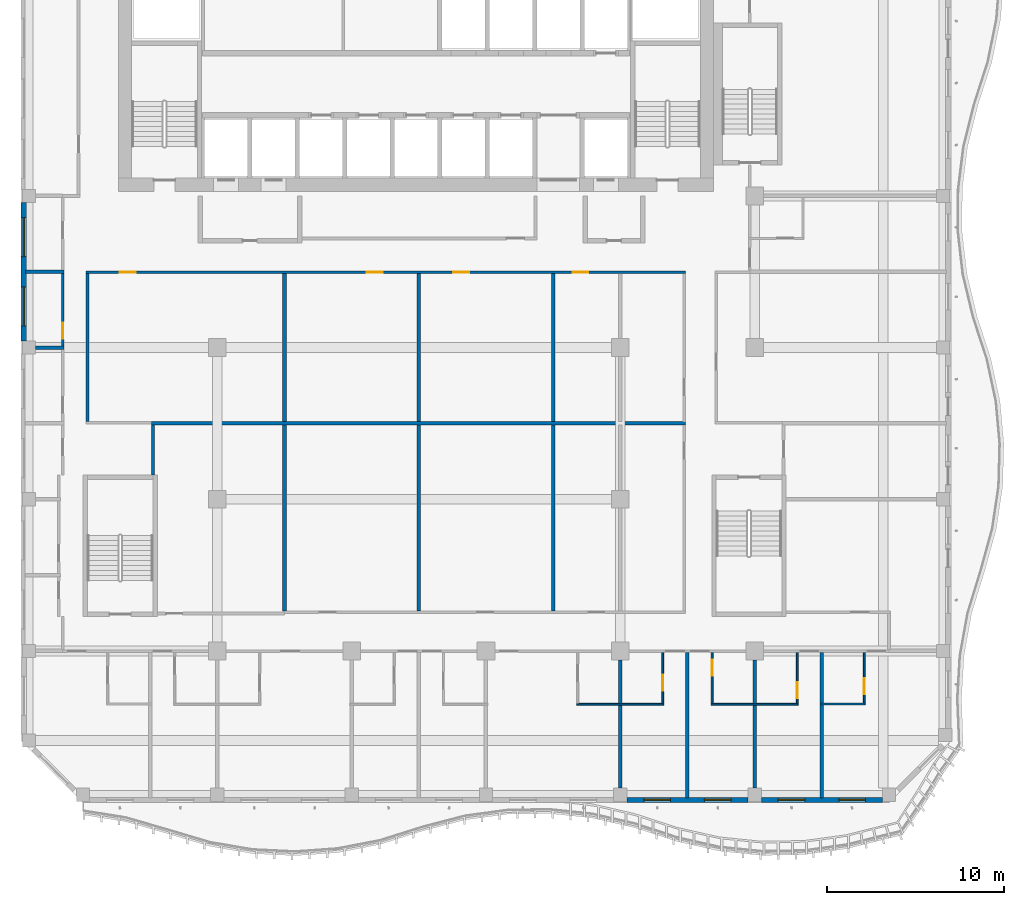
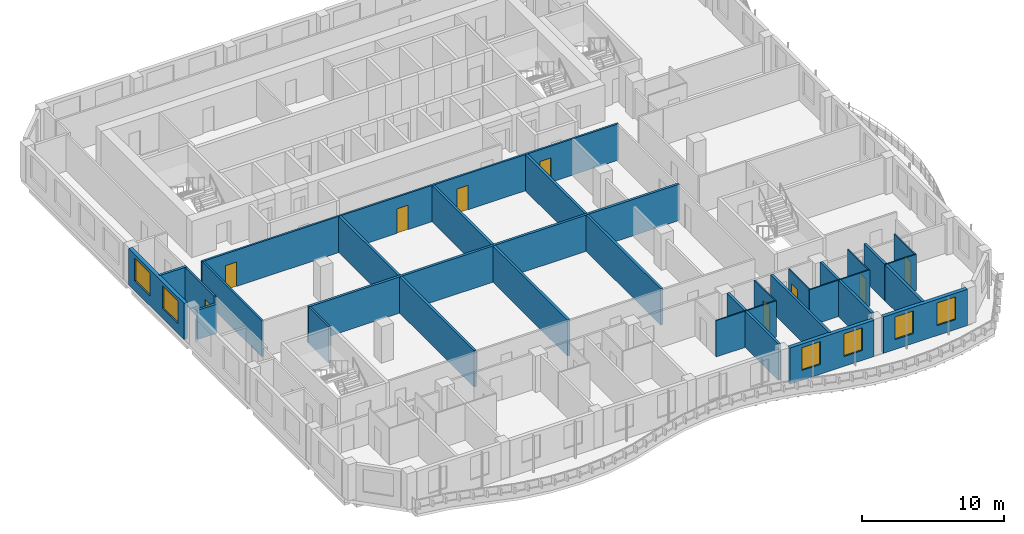
# One storey, part 4 of 21: 30 walls, 9 doors, 6 windows, 15 openings.
"""IFC4 building model written with IfcOpenShell, lengths in metres."""

from ifc_helpers import new_model, si_unit, direction, frame, frame_2d, origin, place, context, subcontext, project, spatial, rectangle, extrude, source, transform, mapped, material, layer, layer_set, type_object, element, fill, save


model = new_model("IFC4")

# Units and contexts
model_context = context("Model", 3, precision=1e-05, world=origin(), true_north=direction((0.0, 1.0)))
body_context = subcontext(model_context, "Body", "Model", "MODEL_VIEW")
ifc_project = project(units=[si_unit("LENGTHUNIT", "METRE"), si_unit("AREAUNIT", "SQUARE_METRE"), si_unit("VOLUMEUNIT", "CUBIC_METRE"), si_unit("PLANEANGLEUNIT", "RADIAN"), si_unit("MASSUNIT", "GRAM", prefix="KILO")], contexts=[model_context])

# Site, building, storey
site_placement = place(None, origin())
site = spatial("IfcSite", under=ifc_project, at=site_placement, CompositionType="ELEMENT")
building_placement = place(site_placement, origin())
building = spatial("IfcBuilding", under=site, at=building_placement, Name="Kilnfold Tower and Market Hall", CompositionType="ELEMENT")
storey_placement = place(building_placement, frame((0.0, 0.0, 210.10009765625)))
storey = spatial("IfcBuildingStorey", under=building, at=storey_placement, Name="L51", CompositionType="ELEMENT", Elevation=210.10009765625)

# Wall, opening, door
ifc_material_1 = material(Name="Gypsum board on steel studs", Category="steel")
ifc_layer_1 = layer(ifc_material_1, 0.14990234375)
ifc_layer_set_1 = layer_set([ifc_layer_1], Name="Gypsum board on steel studs")
wall_type_1 = type_object("IfcWallType", Name="WALL CORRIDOR 150", PredefinedType="PARTITIONING", material=ifc_layer_set_1)
wall_1_placement = place(storey_placement, frame((-18.89990234375, -0.471923828125, 0.0), z_axis=(0.0, 0.0, 1.0), x_axis=(0.0, 1.0, 0.0)))
wall_1 = element("IfcWall", 1, at=wall_1_placement, inside=storey, type_object=wall_type_1, Name="Partition LY31.15", PredefinedType="PARTITIONING", context=body_context, shape_type="SweptSolid", body=[
    extrude(rectangle(XDim=4.100830078125, YDim=0.14990234375, at=frame_2d((2.05029296875, 0.0))), origin(), (0.0, 0.0, 1.0), 3.119873046875),
])
opening_1_placement = place(wall_1_placement, frame((0.39990234375, 0.0, 0.0)))
opening_1 = element("IfcOpeningElement", 2, at=opening_1_placement, cuts=wall_1, Name="Opening D2", PredefinedType="OPENING", context=body_context, shape_type="SweptSolid", body=[
    extrude(rectangle(XDim=0.89990234375, YDim=2.10009765625, at=frame_2d((0.449951171875, 1.050048828125))), frame((0.0, 0.0849609375, 0.0), z_axis=(0.0, -1.0, 0.0), x_axis=(1.0, 0.0, 0.0)), (0.0, 0.0, 1.0), 0.169921875),
])
ifc_material_2 = material(Name="Timber veneer door leaf in steel frame", Category="steel")
door_type_1 = type_object("IfcDoorType", Name="DOOR ROOM 900 X2100", OperationType="NOTDEFINED", PredefinedType="DOOR", material=ifc_material_2)
door_1_placement = place(opening_1_placement, origin())
door_1 = element("IfcDoor", 3, at=door_1_placement, inside=storey, type_object=door_type_1, Name="Door D2", OperationType="SINGLE_SWING_LEFT", OverallHeight=2.10009765625, OverallWidth=0.89990234375, PredefinedType="DOOR", context=body_context, shape_type="SweptSolid", body=[
    extrude(rectangle(XDim=0.89990234375, YDim=2.10009765625, at=frame_2d((0.449951171875, 1.050048828125))), frame((0.0, 0.02490234375, 0.0), z_axis=(0.0, -1.0, 0.0), x_axis=(1.0, 0.0, 0.0)), (0.0, 0.0, 1.0), 0.050048828125),
])
fill(opening_1, door_1)

# Wall, openings, doors
wall_2_placement = place(storey_placement, frame((-17.574951171875, 3.699951171875, 0.0), z_axis=(0.0, 0.0, 1.0), x_axis=(1.0, 0.0, 0.0)))
wall_2 = element("IfcWall", 4, at=wall_2_placement, inside=storey, type_object=wall_type_1, Name="Partition LY31.35", PredefinedType="PARTITIONING", context=body_context, shape_type="SweptSolid", body=[
    extrude(rectangle(XDim=33.849853515625, YDim=0.14990234375, at=frame_2d((16.9248046875, 0.0))), origin(), (0.0, 0.0, 1.0), 3.119873046875),
])
opening_2_placement = place(wall_2_placement, frame((1.902099609375, 0.0, 0.0)))
opening_2 = element("IfcOpeningElement", 5, at=opening_2_placement, cuts=wall_2, Name="Opening D2", PredefinedType="OPENING", context=body_context, shape_type="SweptSolid", body=[
    extrude(rectangle(XDim=0.89990234375, YDim=2.10009765625, at=frame_2d((0.449951171875, 1.050048828125))), frame((0.0, 0.0849609375, 0.0), z_axis=(0.0, -1.0, 0.0), x_axis=(1.0, 0.0, 0.0)), (0.0, 0.0, 1.0), 0.169921875),
])
opening_3_placement = place(wall_2_placement, frame((15.841064453125, 0.0, 0.0)))
opening_3 = element("IfcOpeningElement", 6, at=opening_3_placement, cuts=wall_2, Name="Opening D2", PredefinedType="OPENING", context=body_context, shape_type="SweptSolid", body=[
    extrude(rectangle(XDim=0.89990234375, YDim=2.10009765625, at=frame_2d((0.449951171875, 1.050048828125))), frame((0.0, 0.0849609375, 0.0), z_axis=(0.0, -1.0, 0.0), x_axis=(1.0, 0.0, 0.0)), (0.0, 0.0, 1.0), 0.169921875),
])
opening_4_placement = place(wall_2_placement, frame((20.72412109375, 0.0, 0.0)))
opening_4 = element("IfcOpeningElement", 7, at=opening_4_placement, cuts=wall_2, Name="Opening D2", PredefinedType="OPENING", context=body_context, shape_type="SweptSolid", body=[
    extrude(rectangle(XDim=0.89990234375, YDim=2.10009765625, at=frame_2d((0.449951171875, 1.050048828125))), frame((0.0, 0.0849609375, 0.0), z_axis=(0.0, -1.0, 0.0), x_axis=(1.0, 0.0, 0.0)), (0.0, 0.0, 1.0), 0.169921875),
])
opening_5_placement = place(wall_2_placement, frame((27.4599609375, 0.0, 0.0)))
opening_5 = element("IfcOpeningElement", 8, at=opening_5_placement, cuts=wall_2, Name="Opening D2", PredefinedType="OPENING", context=body_context, shape_type="SweptSolid", body=[
    extrude(rectangle(XDim=0.89990234375, YDim=2.10009765625, at=frame_2d((0.449951171875, 1.050048828125))), frame((0.0, 0.0849609375, 0.0), z_axis=(0.0, -1.0, 0.0), x_axis=(1.0, 0.0, 0.0)), (0.0, 0.0, 1.0), 0.169921875),
])
door_2_placement = place(opening_2_placement, origin())
door_2 = element("IfcDoor", 9, at=door_2_placement, inside=storey, type_object=door_type_1, Name="Door D2", OperationType="SINGLE_SWING_RIGHT", OverallHeight=2.10009765625, OverallWidth=0.89990234375, PredefinedType="DOOR", context=body_context, shape_type="SweptSolid", body=[
    extrude(rectangle(XDim=0.89990234375, YDim=2.10009765625, at=frame_2d((0.449951171875, 1.050048828125))), frame((0.0, 0.02490234375, 0.0), z_axis=(0.0, -1.0, 0.0), x_axis=(1.0, 0.0, 0.0)), (0.0, 0.0, 1.0), 0.050048828125),
])
fill(opening_2, door_2)
door_3_placement = place(opening_3_placement, origin())
door_3 = element("IfcDoor", 10, at=door_3_placement, inside=storey, type_object=door_type_1, Name="Door D2", OperationType="SINGLE_SWING_LEFT", OverallHeight=2.10009765625, OverallWidth=0.89990234375, PredefinedType="DOOR", context=body_context, shape_type="SweptSolid", body=[
    extrude(rectangle(XDim=0.89990234375, YDim=2.10009765625, at=frame_2d((0.449951171875, 1.050048828125))), frame((0.0, 0.02490234375, 0.0), z_axis=(0.0, -1.0, 0.0), x_axis=(1.0, 0.0, 0.0)), (0.0, 0.0, 1.0), 0.050048828125),
])
fill(opening_3, door_3)
door_4_placement = place(opening_4_placement, origin())
door_4 = element("IfcDoor", 11, at=door_4_placement, inside=storey, type_object=door_type_1, Name="Door D2", OperationType="SINGLE_SWING_LEFT", OverallHeight=2.10009765625, OverallWidth=0.89990234375, PredefinedType="DOOR", context=body_context, shape_type="SweptSolid", body=[
    extrude(rectangle(XDim=0.89990234375, YDim=2.10009765625, at=frame_2d((0.449951171875, 1.050048828125))), frame((0.0, 0.02490234375, 0.0), z_axis=(0.0, -1.0, 0.0), x_axis=(1.0, 0.0, 0.0)), (0.0, 0.0, 1.0), 0.050048828125),
])
fill(opening_4, door_4)
door_5_placement = place(opening_5_placement, origin())
door_5 = element("IfcDoor", 12, at=door_5_placement, inside=storey, type_object=door_type_1, Name="Door D2", OperationType="SINGLE_SWING_RIGHT", OverallHeight=2.10009765625, OverallWidth=0.89990234375, PredefinedType="DOOR", context=body_context, shape_type="SweptSolid", body=[
    extrude(rectangle(XDim=0.89990234375, YDim=2.10009765625, at=frame_2d((0.449951171875, 1.050048828125))), frame((0.0, 0.02490234375, 0.0), z_axis=(0.0, -1.0, 0.0), x_axis=(1.0, 0.0, 0.0)), (0.0, 0.0, 1.0), 0.050048828125),
])
fill(opening_5, door_5)

# Walls
wall_3_placement = place(storey_placement, frame((-17.5, -4.72509765625, 0.0), z_axis=(0.0, 0.0, 1.0), x_axis=(0.0, 1.0, 0.0)))
element("IfcWall", 13, at=wall_3_placement, inside=storey, type_object=wall_type_1, Name="Partition LY31.36", PredefinedType="PARTITIONING", context=body_context, shape_type="SweptSolid", body=[
    extrude(rectangle(XDim=8.35009765625, YDim=0.14990234375, at=frame_2d((4.175048828125, 0.0))), origin(), (0.0, 0.0, 1.0), 3.119873046875),
])
wall_4_placement = place(storey_placement, frame((-13.800048828125, -7.75, 0.0), z_axis=(0.0, 0.0, 1.0), x_axis=(0.0, 1.0, 0.0)))
element("IfcWall", 14, at=wall_4_placement, inside=storey, type_object=wall_type_1, Name="Partition LY31.38", PredefinedType="PARTITIONING", context=body_context, shape_type="SweptSolid", body=[
    extrude(rectangle(XDim=2.81689453125, YDim=0.14990234375, at=frame_2d((1.408447265625, 0.0))), origin(), (0.0, 0.0, 1.0), 3.119873046875),
])
ifc_material_3 = material(Name="Gypsum board on steel studs", Category="steel")
ifc_layer_2 = layer(ifc_material_3, 0.10009765625)
ifc_layer_set_2 = layer_set([ifc_layer_2], Name="Gypsum board on steel studs")
wall_type_2 = type_object("IfcWallType", Name="WALL PARTITION 100", PredefinedType="PARTITIONING", material=ifc_layer_set_2)
wall_5_placement = place(storey_placement, frame((10.133056640625, -20.701904296875, 0.0), z_axis=(0.0, 0.0, 1.0), x_axis=(1.0, 0.0, 0.0)))
element("IfcWall", 15, at=wall_5_placement, inside=storey, type_object=wall_type_2, Name="Partition LY31.62", PredefinedType="PARTITIONING", context=body_context, shape_type="SweptSolid", body=[
    extrude(rectangle(XDim=4.89990234375, YDim=0.10009765625, at=frame_2d((2.449951171875, 0.0))), origin(), (0.0, 0.0, 1.0), 3.119873046875),
])

# Wall, opening, door
wall_6_placement = place(storey_placement, frame((14.98291015625, -17.777099609375, 0.0), z_axis=(0.0, 0.0, 1.0), x_axis=(0.0, -1.0, 0.0)))
wall_6 = element("IfcWall", 16, at=wall_6_placement, inside=storey, type_object=wall_type_2, Name="Partition LY31.65", PredefinedType="PARTITIONING", context=body_context, shape_type="SweptSolid", body=[
    extrude(rectangle(XDim=2.875, YDim=0.10009765625, at=frame_2d((1.4375, 0.0))), origin(), (0.0, 0.0, 1.0), 3.119873046875),
])
opening_6_placement = place(wall_6_placement, frame((1.25, 0.0, 0.0)))
opening_6 = element("IfcOpeningElement", 17, at=opening_6_placement, cuts=wall_6, Name="Opening D3", PredefinedType="OPENING", context=body_context, shape_type="SweptSolid", body=[
    extrude(rectangle(XDim=0.89990234375, YDim=2.10009765625, at=frame_2d((0.449951171875, 1.050048828125))), frame((0.0, 0.06005859375, 0.0), z_axis=(0.0, -1.0, 0.0), x_axis=(1.0, 0.0, 0.0)), (0.0, 0.0, 1.0), 0.1201171875),
])
ifc_material_4 = material(Name="Timber veneer door leaf in steel frame", Category="steel")
door_type_2 = type_object("IfcDoorType", Name="DOOR WC 900 X2100", OperationType="NOTDEFINED", PredefinedType="DOOR", material=ifc_material_4)
door_6_placement = place(opening_6_placement, origin())
door_6 = element("IfcDoor", 18, at=door_6_placement, inside=storey, type_object=door_type_2, Name="Door D3", OperationType="SINGLE_SWING_LEFT", OverallHeight=2.10009765625, OverallWidth=0.89990234375, PredefinedType="DOOR", context=body_context, shape_type="SweptSolid", body=[
    extrude(rectangle(XDim=0.89990234375, YDim=2.10009765625, at=frame_2d((0.449951171875, 1.050048828125))), frame((0.0, 0.02490234375, 0.0), z_axis=(0.0, -1.0, 0.0), x_axis=(1.0, 0.0, 0.0)), (0.0, 0.0, 1.0), 0.050048828125),
])
fill(opening_6, door_6)

wall_7_placement = place(storey_placement, frame((17.76708984375, -20.652099609375, 0.0), z_axis=(0.0, 0.0, 1.0), x_axis=(0.0, 1.0, 0.0)))
wall_7 = element("IfcWall", 19, at=wall_7_placement, inside=storey, type_object=wall_type_2, Name="Partition LY31.67", PredefinedType="PARTITIONING", context=body_context, shape_type="SweptSolid", body=[
    extrude(rectangle(XDim=2.875, YDim=0.10009765625, at=frame_2d((1.4375, 0.0))), origin(), (0.0, 0.0, 1.0), 3.119873046875),
])
opening_7_placement = place(wall_7_placement, frame((1.56494140625, 0.0, 0.0)))
opening_7 = element("IfcOpeningElement", 20, at=opening_7_placement, cuts=wall_7, Name="Opening D3", PredefinedType="OPENING", context=body_context, shape_type="SweptSolid", body=[
    extrude(rectangle(XDim=0.89990234375, YDim=2.10009765625, at=frame_2d((0.449951171875, 1.050048828125))), frame((0.0, 0.06005859375, 0.0), z_axis=(0.0, -1.0, 0.0), x_axis=(1.0, 0.0, 0.0)), (0.0, 0.0, 1.0), 0.1201171875),
])
door_7_placement = place(opening_7_placement, origin())
door_7 = element("IfcDoor", 21, at=door_7_placement, inside=storey, type_object=door_type_2, Name="Door D3", OperationType="SINGLE_SWING_RIGHT", OverallHeight=2.10009765625, OverallWidth=0.89990234375, PredefinedType="DOOR", context=body_context, shape_type="SweptSolid", body=[
    extrude(rectangle(XDim=0.89990234375, YDim=2.10009765625, at=frame_2d((0.449951171875, 1.050048828125))), frame((0.0, 0.02490234375, 0.0), z_axis=(0.0, -1.0, 0.0), x_axis=(1.0, 0.0, 0.0)), (0.0, 0.0, 1.0), 0.050048828125),
])
fill(opening_7, door_7)

# Wall
wall_8_placement = place(storey_placement, frame((17.717041015625, -20.701904296875, 0.0), z_axis=(0.0, 0.0, 1.0), x_axis=(1.0, 0.0, 0.0)))
element("IfcWall", 22, at=wall_8_placement, inside=storey, type_object=wall_type_2, Name="Partition LY31.68", PredefinedType="PARTITIONING", context=body_context, shape_type="SweptSolid", body=[
    extrude(rectangle(XDim=4.89990234375, YDim=0.10009765625, at=frame_2d((2.449951171875, 0.0))), origin(), (0.0, 0.0, 1.0), 3.119873046875),
])

# Wall, opening, door
wall_9_placement = place(storey_placement, frame((22.56689453125, -17.777099609375, 0.0), z_axis=(0.0, 0.0, 1.0), x_axis=(0.0, -1.0, 0.0)))
wall_9 = element("IfcWall", 23, at=wall_9_placement, inside=storey, type_object=wall_type_2, Name="Partition LY31.71", PredefinedType="PARTITIONING", context=body_context, shape_type="SweptSolid", body=[
    extrude(rectangle(XDim=2.875, YDim=0.10009765625, at=frame_2d((1.4375, 0.0))), origin(), (0.0, 0.0, 1.0), 3.119873046875),
])
opening_8_placement = place(wall_9_placement, frame((1.669921875, 0.0, 0.0)))
opening_8 = element("IfcOpeningElement", 24, at=opening_8_placement, cuts=wall_9, Name="Opening D3", PredefinedType="OPENING", context=body_context, shape_type="SweptSolid", body=[
    extrude(rectangle(XDim=0.89990234375, YDim=2.10009765625, at=frame_2d((0.449951171875, 1.050048828125))), frame((0.0, 0.06005859375, 0.0), z_axis=(0.0, -1.0, 0.0), x_axis=(1.0, 0.0, 0.0)), (0.0, 0.0, 1.0), 0.1201171875),
])
door_8_placement = place(opening_8_placement, origin())
door_8 = element("IfcDoor", 25, at=door_8_placement, inside=storey, type_object=door_type_2, Name="Door D3", OperationType="SINGLE_SWING_LEFT", OverallHeight=2.10009765625, OverallWidth=0.89990234375, PredefinedType="DOOR", context=body_context, shape_type="SweptSolid", body=[
    extrude(rectangle(XDim=0.89990234375, YDim=2.10009765625, at=frame_2d((0.449951171875, 1.050048828125))), frame((0.0, 0.02490234375, 0.0), z_axis=(0.0, -1.0, 0.0), x_axis=(1.0, 0.0, 0.0)), (0.0, 0.0, 1.0), 0.050048828125),
])
fill(opening_8, door_8)

# Wall
wall_10_placement = place(storey_placement, frame((23.85888671875, -20.68798828125, 0.0), z_axis=(0.0, 0.0, 1.0), x_axis=(1.0, 0.0, 0.0)))
element("IfcWall", 26, at=wall_10_placement, inside=storey, type_object=wall_type_2, Name="Partition LY31.74", PredefinedType="PARTITIONING", context=body_context, shape_type="SweptSolid", body=[
    extrude(rectangle(XDim=2.550048828125, YDim=0.10009765625, at=frame_2d((1.27490234375, 0.0))), origin(), (0.0, 0.0, 1.0), 3.119873046875),
])

# Wall, opening, door
wall_11_placement = place(storey_placement, frame((26.35888671875, -17.777099609375, 0.0), z_axis=(0.0, 0.0, 1.0), x_axis=(0.0, -1.0, 0.0)))
wall_11 = element("IfcWall", 27, at=wall_11_placement, inside=storey, type_object=wall_type_2, Name="Partition LY31.75", PredefinedType="PARTITIONING", context=body_context, shape_type="SweptSolid", body=[
    extrude(rectangle(XDim=2.86083984375, YDim=0.10009765625, at=frame_2d((1.430419921875, 0.0))), origin(), (0.0, 0.0, 1.0), 3.119873046875),
])
opening_9_placement = place(wall_11_placement, frame((1.448974609375, 0.0, 0.0)))
opening_9 = element("IfcOpeningElement", 28, at=opening_9_placement, cuts=wall_11, Name="Opening D3", PredefinedType="OPENING", context=body_context, shape_type="SweptSolid", body=[
    extrude(rectangle(XDim=0.89990234375, YDim=2.10009765625, at=frame_2d((0.449951171875, 1.050048828125))), frame((0.0, 0.06005859375, 0.0), z_axis=(0.0, -1.0, 0.0), x_axis=(1.0, 0.0, 0.0)), (0.0, 0.0, 1.0), 0.1201171875),
])
door_9_placement = place(opening_9_placement, origin())
door_9 = element("IfcDoor", 29, at=door_9_placement, inside=storey, type_object=door_type_2, Name="Door D3", OperationType="SINGLE_SWING_LEFT", OverallHeight=2.10009765625, OverallWidth=0.89990234375, PredefinedType="DOOR", context=body_context, shape_type="SweptSolid", body=[
    extrude(rectangle(XDim=0.89990234375, YDim=2.10009765625, at=frame_2d((0.449951171875, 1.050048828125))), frame((0.0, 0.02490234375, 0.0), z_axis=(0.0, -1.0, 0.0), x_axis=(1.0, 0.0, 0.0)), (0.0, 0.0, 1.0), 0.050048828125),
])
fill(opening_9, door_9)

# Walls
ifc_material_5 = material(Name="Gypsum board on steel studs", Category="steel")
ifc_layer_3 = layer(ifc_material_5, 0.199951171875)
ifc_layer_set_3 = layer_set([ifc_layer_3], Name="Gypsum board on steel studs")
wall_type_3 = type_object("IfcWallType", Name="WALL PARTY 200", PredefinedType="PARTITIONING", material=ifc_layer_set_3)
wall_12_placement = place(storey_placement, frame((12.5830078125, -25.425048828125, 0.0), z_axis=(0.0, 0.0, 1.0), x_axis=(0.0, 1.0, 0.0)))
element("IfcWall", 30, at=wall_12_placement, inside=storey, type_object=wall_type_3, Name="Partition LY31.63", PredefinedType="PARTITIONING", context=body_context, shape_type="SweptSolid", body=[
    extrude(rectangle(XDim=4.673095703125, YDim=0.199951171875, at=frame_2d((2.33642578125, 0.0))), origin(), (0.0, 0.0, 1.0), 3.119873046875),
])
wall_13_placement = place(storey_placement, frame((12.5830078125, -20.652099609375, 0.0), z_axis=(0.0, 0.0, 1.0), x_axis=(0.0, 1.0, 0.0)))
element("IfcWall", 31, at=wall_13_placement, inside=storey, type_object=wall_type_3, Name="Partition LY31.64", PredefinedType="PARTITIONING", context=body_context, shape_type="SweptSolid", body=[
    extrude(rectangle(XDim=2.464111328125, YDim=0.199951171875, at=frame_2d((1.23193359375, 0.0))), origin(), (0.0, 0.0, 1.0), 3.119873046875),
])
wall_14_placement = place(storey_placement, frame((16.375, -26.0, 0.0), z_axis=(0.0, 0.0, 1.0), x_axis=(0.0, 1.0, 0.0)))
element("IfcWall", 32, at=wall_14_placement, inside=storey, type_object=wall_type_3, Name="Partition LY31.66", PredefinedType="PARTITIONING", context=body_context, shape_type="SweptSolid", body=[
    extrude(rectangle(XDim=8.222900390625, YDim=0.199951171875, at=frame_2d((4.111328125, 0.0))), origin(), (0.0, 0.0, 1.0), 3.119873046875),
])
wall_15_placement = place(storey_placement, frame((20.1669921875, -25.425048828125, 0.0), z_axis=(0.0, 0.0, 1.0), x_axis=(0.0, 1.0, 0.0)))
element("IfcWall", 33, at=wall_15_placement, inside=storey, type_object=wall_type_3, Name="Partition LY31.69", PredefinedType="PARTITIONING", context=body_context, shape_type="SweptSolid", body=[
    extrude(rectangle(XDim=4.673095703125, YDim=0.199951171875, at=frame_2d((2.33642578125, 0.0))), origin(), (0.0, 0.0, 1.0), 3.119873046875),
])
wall_16_placement = place(storey_placement, frame((20.1669921875, -20.652099609375, 0.0), z_axis=(0.0, 0.0, 1.0), x_axis=(0.0, 1.0, 0.0)))
element("IfcWall", 34, at=wall_16_placement, inside=storey, type_object=wall_type_3, Name="Partition LY31.70", PredefinedType="PARTITIONING", context=body_context, shape_type="SweptSolid", body=[
    extrude(rectangle(XDim=2.464111328125, YDim=0.199951171875, at=frame_2d((1.23193359375, 0.0))), origin(), (0.0, 0.0, 1.0), 3.119873046875),
])
wall_17_placement = place(storey_placement, frame((23.958984375, -26.0, 0.0), z_axis=(0.0, 0.0, 1.0), x_axis=(0.0, 1.0, 0.0)))
element("IfcWall", 35, at=wall_17_placement, inside=storey, type_object=wall_type_3, Name="Partition LY31.72", PredefinedType="PARTITIONING", context=body_context, shape_type="SweptSolid", body=[
    extrude(rectangle(XDim=5.27197265625, YDim=0.199951171875, at=frame_2d((2.635986328125, 0.0))), origin(), (0.0, 0.0, 1.0), 3.119873046875),
])
wall_18_placement = place(storey_placement, frame((23.958984375, -20.64794921875, 0.0), z_axis=(0.0, 0.0, 1.0), x_axis=(0.0, 1.0, 0.0)))
element("IfcWall", 36, at=wall_18_placement, inside=storey, type_object=wall_type_3, Name="Partition LY31.73", PredefinedType="PARTITIONING", context=body_context, shape_type="SweptSolid", body=[
    extrude(rectangle(XDim=2.870849609375, YDim=0.199951171875, at=frame_2d((1.435546875, 0.0))), origin(), (0.0, 0.0, 1.0), 3.119873046875),
])
wall_19_placement = place(storey_placement, frame((-18.826904296875, -0.56201171875, 0.0), z_axis=(0.0, 0.0, 1.0), x_axis=(-1.0, 0.0, 0.0)))
element("IfcWall", 37, at=wall_19_placement, inside=storey, type_object=wall_type_3, Name="Partition LY31.82", PredefinedType="PARTITIONING", context=body_context, shape_type="SweptSolid", body=[
    extrude(rectangle(XDim=1.59814453125, YDim=0.199951171875, at=frame_2d((0.799072265625, 0.0))), origin(), (0.0, 0.0, 1.0), 2.52001953125),
])
wall_20_placement = place(storey_placement, frame((-21.0, 3.718994140625, 0.0), z_axis=(0.0, 0.0, 1.0), x_axis=(1.0, 0.0, 0.0)))
element("IfcWall", 38, at=wall_20_placement, inside=storey, type_object=wall_type_3, Name="Partition LY31.83", PredefinedType="PARTITIONING", context=body_context, shape_type="SweptSolid", body=[
    extrude(rectangle(XDim=2.173095703125, YDim=0.199951171875, at=frame_2d((1.08642578125, 0.0))), origin(), (0.0, 0.0, 1.0), 3.119873046875),
])
wall_21_placement = place(storey_placement, frame((-6.375, -4.742919921875, 0.0), z_axis=(0.0, 0.0, 1.0), x_axis=(0.0, 1.0, 0.0)))
element("IfcWall", 39, at=wall_21_placement, inside=storey, type_object=wall_type_3, Name="Partition LY31.95", PredefinedType="PARTITIONING", context=body_context, shape_type="SweptSolid", body=[
    extrude(rectangle(XDim=8.365966796875, YDim=0.199951171875, at=frame_2d((4.18310546875, 0.0))), origin(), (0.0, 0.0, 1.0), 3.119873046875),
])
wall_22_placement = place(storey_placement, frame((-13.873046875, -4.843017578125, 0.0), z_axis=(0.0, 0.0, 1.0), x_axis=(1.0, 0.0, 0.0)))
element("IfcWall", 40, at=wall_22_placement, inside=storey, type_object=wall_type_3, Name="Partition LY31.96", PredefinedType="PARTITIONING", context=body_context, shape_type="SweptSolid", body=[
    extrude(rectangle(XDim=30.14599609375, YDim=0.199951171875, at=frame_2d((15.072998046875, 0.0))), origin(), (0.0, 0.0, 1.0), 3.119873046875),
])
for number, where, z_axis, x_axis, name in (
    (41, (1.2080078125, -4.742919921875, 0.0), (0.0, 0.0, 1.0), (0.0, 1.0, 0.0), "Partition LY31.97"),
    (42, (8.791015625, -4.742919921875, 0.0), (0.0, 0.0, 1.0), (0.0, 1.0, 0.0), "Partition LY31.98"),
):
    element("IfcWall", number, at=place(storey_placement, frame(where, z_axis=z_axis, x_axis=x_axis)), inside=storey, type_object=wall_type_3, Name=name, PredefinedType="PARTITIONING", context=body_context, shape_type="SweptSolid", body=[
        extrude(rectangle(XDim=8.365966796875, YDim=0.199951171875, at=frame_2d((4.18310546875, 0.0))), origin(), (0.0, 0.0, 1.0), 3.119873046875),
    ])
for number, where, z_axis, x_axis, name in (
    (43, (-6.375, -15.423095703125, 0.0), (0.0, 0.0, 1.0), (0.0, 1.0, 0.0), "Partition LY31.101"),
    (44, (1.2080078125, -15.423095703125, 0.0), (0.0, 0.0, 1.0), (0.0, 1.0, 0.0), "Partition LY31.102"),
    (45, (8.791015625, -15.423095703125, 0.0), (0.0, 0.0, 1.0), (0.0, 1.0, 0.0), "Partition LY31.103"),
):
    element("IfcWall", number, at=place(storey_placement, frame(where, z_axis=z_axis, x_axis=x_axis)), inside=storey, type_object=wall_type_3, Name=name, PredefinedType="PARTITIONING", context=body_context, shape_type="SweptSolid", body=[
        extrude(rectangle(XDim=10.47998046875, YDim=0.199951171875, at=frame_2d((5.239990234375, 0.0))), origin(), (0.0, 0.0, 1.0), 3.119873046875),
    ])

# Wall, openings, windows
ifc_material_6 = material(Name="Precast concrete C50/60", Category="concrete")
ifc_layer_4 = layer(ifc_material_6, 0.300048828125)
ifc_layer_set_4 = layer_set([ifc_layer_4], Name="Precast concrete C50/60")
wall_type_4 = type_object("IfcWallType", Name="PRECAST WALL 300", PredefinedType="SOLIDWALL", material=ifc_layer_set_4)
shared_shape_1 = source(origin(), body_context, "Body", "SweptSolid", [
    extrude(rectangle(XDim=6.833251953125, YDim=0.300048828125, at=frame_2d((3.41650390625, 0.0))), origin(), (0.0, 0.0, 1.0), 3.119873046875),
])
wall_23_placement = place(storey_placement, frame((20.541748046875, -26.10009765625, 0.0), z_axis=(0.0, 0.0, 1.0), x_axis=(1.0, 0.0, 0.0)))
wall_23 = element("IfcWall", 46, at=wall_23_placement, inside=storey, type_object=wall_type_4, Name="External wall L51 S", PredefinedType="SOLIDWALL", context=body_context, shape_type="MappedRepresentation", body=[
    mapped(shared_shape_1, transform((0.0, 0.0, 0.0))),
])
opening_10_placement = place(wall_23_placement, frame((0.958251953125, 0.0, 0.85009765625)))
opening_10 = element("IfcOpeningElement", 47, at=opening_10_placement, cuts=wall_23, Name="Opening W4", PredefinedType="OPENING", context=body_context, shape_type="SweptSolid", body=[
    extrude(rectangle(XDim=1.5, YDim=1.949951171875, at=frame_2d((0.75, 0.97509765625))), frame((0.0, 0.16015625, 0.0), z_axis=(0.0, -1.0, 0.0), x_axis=(1.0, 0.0, 0.0)), (0.0, 0.0, 1.0), 0.320068359375),
])
opening_11_placement = place(wall_23_placement, frame((4.375, 0.0, 0.85009765625)))
opening_11 = element("IfcOpeningElement", 48, at=opening_11_placement, cuts=wall_23, Name="Opening W4", PredefinedType="OPENING", context=body_context, shape_type="SweptSolid", body=[
    extrude(rectangle(XDim=1.5, YDim=1.949951171875, at=frame_2d((0.75, 0.97509765625))), frame((0.0, 0.16015625, 0.0), z_axis=(0.0, -1.0, 0.0), x_axis=(1.0, 0.0, 0.0)), (0.0, 0.0, 1.0), 0.320068359375),
])
ifc_material_7 = material(Name="Aluminium frame and double glazing", Category="aluminium")
window_type_1 = type_object("IfcWindowType", Name="WINDOW W4 1500X1950", PartitioningType="SINGLE_PANEL", PredefinedType="WINDOW", material=ifc_material_7)
window_1_placement = place(opening_10_placement, origin())
window_1 = element("IfcWindow", 49, at=window_1_placement, inside=storey, type_object=window_type_1, Name="Window W4 L51 S-1", OverallHeight=1.949951171875, OverallWidth=1.5, PartitioningType="SINGLE_PANEL", PredefinedType="WINDOW", context=body_context, shape_type="SweptSolid", body=[
    extrude(rectangle(XDim=1.5, YDim=1.949951171875, at=frame_2d((0.75, 0.97509765625))), frame((0.0, 0.030029296875, 0.0), z_axis=(0.0, -1.0, 0.0), x_axis=(1.0, 0.0, 0.0)), (0.0, 0.0, 1.0), 0.06005859375),
])
fill(opening_10, window_1)
window_2_placement = place(opening_11_placement, origin())
window_2 = element("IfcWindow", 50, at=window_2_placement, inside=storey, type_object=window_type_1, Name="Window W4 L51 S-2", OverallHeight=1.949951171875, OverallWidth=1.5, PartitioningType="SINGLE_PANEL", PredefinedType="WINDOW", context=body_context, shape_type="SweptSolid", body=[
    extrude(rectangle(XDim=1.5, YDim=1.949951171875, at=frame_2d((0.75, 0.97509765625))), frame((0.0, 0.030029296875, 0.0), z_axis=(0.0, -1.0, 0.0), x_axis=(1.0, 0.0, 0.0)), (0.0, 0.0, 1.0), 0.06005859375),
])
fill(opening_11, window_2)

shared_shape_2 = source(origin(), body_context, "Body", "SweptSolid", [
    extrude(rectangle(XDim=6.83349609375, YDim=0.300048828125, at=frame_2d((3.416748046875, 0.0))), origin(), (0.0, 0.0, 1.0), 3.119873046875),
])
wall_24_placement = place(storey_placement, frame((12.958251953125, -26.10009765625, 0.0), z_axis=(0.0, 0.0, 1.0), x_axis=(1.0, 0.0, 0.0)))
wall_24 = element("IfcWall", 51, at=wall_24_placement, inside=storey, type_object=wall_type_4, Name="External wall L51 S", PredefinedType="SOLIDWALL", context=body_context, shape_type="MappedRepresentation", body=[
    mapped(shared_shape_2, transform((0.0, 0.0, 0.0))),
])
opening_12_placement = place(wall_24_placement, frame((0.958251953125, 0.0, 0.85009765625)))
opening_12 = element("IfcOpeningElement", 52, at=opening_12_placement, cuts=wall_24, Name="Opening W4", PredefinedType="OPENING", context=body_context, shape_type="SweptSolid", body=[
    extrude(rectangle(XDim=1.5, YDim=1.949951171875, at=frame_2d((0.75, 0.97509765625))), frame((0.0, 0.16015625, 0.0), z_axis=(0.0, -1.0, 0.0), x_axis=(1.0, 0.0, 0.0)), (0.0, 0.0, 1.0), 0.320068359375),
])
opening_13_placement = place(wall_24_placement, frame((4.375, 0.0, 0.85009765625)))
opening_13 = element("IfcOpeningElement", 53, at=opening_13_placement, cuts=wall_24, Name="Opening W4", PredefinedType="OPENING", context=body_context, shape_type="SweptSolid", body=[
    extrude(rectangle(XDim=1.5, YDim=1.949951171875, at=frame_2d((0.75, 0.97509765625))), frame((0.0, 0.16015625, 0.0), z_axis=(0.0, -1.0, 0.0), x_axis=(1.0, 0.0, 0.0)), (0.0, 0.0, 1.0), 0.320068359375),
])
window_3_placement = place(opening_12_placement, origin())
window_3 = element("IfcWindow", 54, at=window_3_placement, inside=storey, type_object=window_type_1, Name="Window W4 L51 S-1", OverallHeight=1.949951171875, OverallWidth=1.5, PartitioningType="SINGLE_PANEL", PredefinedType="WINDOW", context=body_context, shape_type="SweptSolid", body=[
    extrude(rectangle(XDim=1.5, YDim=1.949951171875, at=frame_2d((0.75, 0.97509765625))), frame((0.0, 0.030029296875, 0.0), z_axis=(0.0, -1.0, 0.0), x_axis=(1.0, 0.0, 0.0)), (0.0, 0.0, 1.0), 0.06005859375),
])
fill(opening_12, window_3)
window_4_placement = place(opening_13_placement, origin())
window_4 = element("IfcWindow", 55, at=window_4_placement, inside=storey, type_object=window_type_1, Name="Window W4 L51 S-2", OverallHeight=1.949951171875, OverallWidth=1.5, PartitioningType="SINGLE_PANEL", PredefinedType="WINDOW", context=body_context, shape_type="SweptSolid", body=[
    extrude(rectangle(XDim=1.5, YDim=1.949951171875, at=frame_2d((0.75, 0.97509765625))), frame((0.0, 0.030029296875, 0.0), z_axis=(0.0, -1.0, 0.0), x_axis=(1.0, 0.0, 0.0)), (0.0, 0.0, 1.0), 0.06005859375),
])
fill(opening_13, window_4)

shared_shape_3 = source(origin(), body_context, "Body", "SweptSolid", [
    extrude(rectangle(XDim=7.8125, YDim=0.300048828125, at=frame_2d((3.90625, 0.0))), origin(), (0.0, 0.0, 1.0), 3.119873046875),
])
wall_25_placement = place(storey_placement, frame((-21.10009765625, 7.625, 0.0), z_axis=(0.0, 0.0, 1.0), x_axis=(0.0, -1.0, 0.0)))
wall_25 = element("IfcWall", 56, at=wall_25_placement, inside=storey, type_object=wall_type_4, Name="External wall L51 W", PredefinedType="SOLIDWALL", context=body_context, shape_type="MappedRepresentation", body=[
    mapped(shared_shape_3, transform((0.0, 0.0, 0.0))),
])
opening_14_placement = place(wall_25_placement, frame((0.85302734375, 0.0, 0.85009765625)))
opening_14 = element("IfcOpeningElement", 57, at=opening_14_placement, cuts=wall_25, Name="Opening W2", PredefinedType="OPENING", context=body_context, shape_type="SweptSolid", body=[
    extrude(rectangle(XDim=2.199951171875, YDim=1.949951171875, at=frame_2d((1.10009765625, 0.97509765625))), frame((0.0, 0.16015625, 0.0), z_axis=(0.0, -1.0, 0.0), x_axis=(1.0, 0.0, 0.0)), (0.0, 0.0, 1.0), 0.320068359375),
])
opening_15_placement = place(wall_25_placement, frame((4.75927734375, 0.0, 0.85009765625)))
opening_15 = element("IfcOpeningElement", 58, at=opening_15_placement, cuts=wall_25, Name="Opening W2", PredefinedType="OPENING", context=body_context, shape_type="SweptSolid", body=[
    extrude(rectangle(XDim=2.199951171875, YDim=1.949951171875, at=frame_2d((1.10009765625, 0.97509765625))), frame((0.0, 0.16015625, 0.0), z_axis=(0.0, -1.0, 0.0), x_axis=(1.0, 0.0, 0.0)), (0.0, 0.0, 1.0), 0.320068359375),
])
ifc_material_8 = material(Name="Aluminium frame and double glazing", Category="aluminium")
window_type_2 = type_object("IfcWindowType", Name="WINDOW W2 2200X1950", PartitioningType="SINGLE_PANEL", PredefinedType="WINDOW", material=ifc_material_8)
window_5_placement = place(opening_14_placement, origin())
window_5 = element("IfcWindow", 59, at=window_5_placement, inside=storey, type_object=window_type_2, Name="Window W2 L51 W-1", OverallHeight=1.949951171875, OverallWidth=2.199951171875, PartitioningType="SINGLE_PANEL", PredefinedType="WINDOW", context=body_context, shape_type="SweptSolid", body=[
    extrude(rectangle(XDim=2.199951171875, YDim=1.949951171875, at=frame_2d((1.10009765625, 0.97509765625))), frame((0.0, 0.030029296875, 0.0), z_axis=(0.0, -1.0, 0.0), x_axis=(1.0, 0.0, 0.0)), (0.0, 0.0, 1.0), 0.06005859375),
])
fill(opening_14, window_5)
window_6_placement = place(opening_15_placement, origin())
window_6 = element("IfcWindow", 60, at=window_6_placement, inside=storey, type_object=window_type_2, Name="Window W2 L51 W-2", OverallHeight=1.949951171875, OverallWidth=2.199951171875, PartitioningType="SINGLE_PANEL", PredefinedType="WINDOW", context=body_context, shape_type="SweptSolid", body=[
    extrude(rectangle(XDim=2.199951171875, YDim=1.949951171875, at=frame_2d((1.10009765625, 0.97509765625))), frame((0.0, 0.030029296875, 0.0), z_axis=(0.0, -1.0, 0.0), x_axis=(1.0, 0.0, 0.0)), (0.0, 0.0, 1.0), 0.06005859375),
])
fill(opening_15, window_6)

save(model, "model.ifc")
